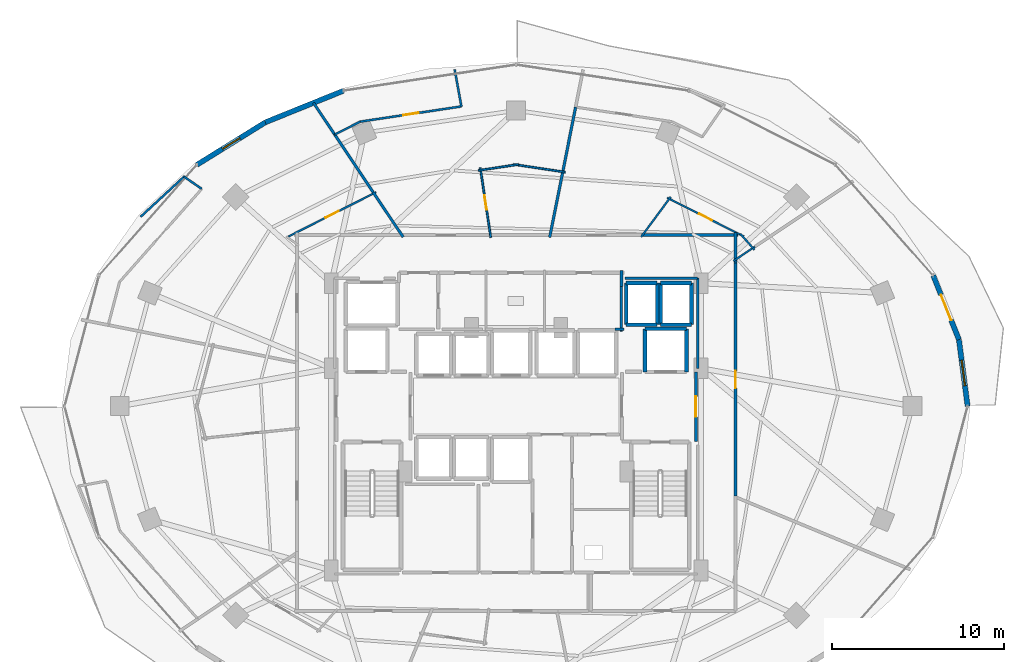
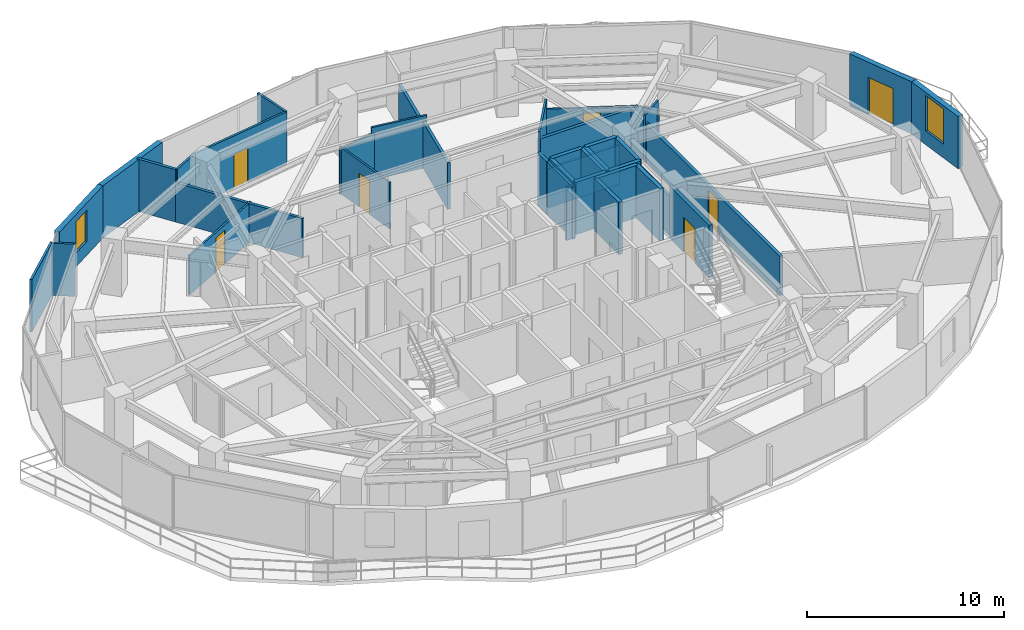
# One storey, part 25 of 29: 42 walls, 7 doors, 2 windows, 9 openings.
"""IFC4 building model written with IfcOpenShell, lengths in metres."""

from ifc_helpers import new_model, si_unit, direction, frame, frame_2d, origin, place, context, subcontext, project, spatial, rectangle, extrude, material, layer, layer_set, type_object, element, fill, save


model = new_model("IFC4")

# Units and contexts
model_context = context("Model", 3, precision=1e-05, world=origin(), true_north=direction((0.0, 1.0)))
body_context = subcontext(model_context, "Body", "Model", "MODEL_VIEW")
ifc_project = project(units=[si_unit("LENGTHUNIT", "METRE"), si_unit("AREAUNIT", "SQUARE_METRE"), si_unit("VOLUMEUNIT", "CUBIC_METRE"), si_unit("PLANEANGLEUNIT", "RADIAN"), si_unit("MASSUNIT", "GRAM", prefix="KILO")], contexts=[model_context])

# Site, building, storey
site_placement = place(None, origin())
site = spatial("IfcSite", under=ifc_project, at=site_placement, CompositionType="ELEMENT")
building_placement = place(site_placement, origin())
building = spatial("IfcBuilding", under=site, at=building_placement, Name="Vorneva Point Tower", CompositionType="ELEMENT")
storey_placement = place(building_placement, frame((0.0, 0.0, 82.300048828125)))
storey = spatial("IfcBuildingStorey", under=building, at=storey_placement, Name="L21", CompositionType="ELEMENT", Elevation=82.300048828125)

# Walls
ifc_material_1 = material(Name="Concrete B60 (C50/60)", Category="concrete")
ifc_layer_1 = layer(ifc_material_1, 0.5)
ifc_layer_set_1 = layer_set([ifc_layer_1], Name="Concrete B60 (C50/60)")
wall_type_1 = type_object("IfcWallType", Name="WL-CORE-500", PredefinedType="SHEAR", material=ifc_layer_set_1)
wall_1_placement = place(storey_placement, frame((47.89990234375, 28.0, 0.0), z_axis=(0.0, 0.0, 1.0), x_axis=(0.0, 1.0, 0.0)))
element("IfcWall", 1, at=wall_1_placement, inside=storey, type_object=wall_type_1, Name="L21 Lift FFL2 Shaft Wall +X", PredefinedType="SHEAR", context=body_context, shape_type="SweptSolid", body=[
    extrude(rectangle(XDim=2.5, YDim=0.219970703125, at=frame_2d((1.25, 0.0))), origin(), (0.0, 0.0, 1.0), 3.239990234375),
])
wall_2_placement = place(storey_placement, frame((47.89990234375, 30.5, 0.0), z_axis=(0.0, 0.0, 1.0), x_axis=(-1.0, 0.0, 0.0)))
element("IfcWall", 2, at=wall_2_placement, inside=storey, type_object=wall_type_1, Name="L21 Lift FFL2 Shaft Wall +Y", PredefinedType="SHEAR", context=body_context, shape_type="SweptSolid", body=[
    extrude(rectangle(XDim=2.39990234375, YDim=0.219970703125, at=frame_2d((1.199951171875, 0.0))), origin(), (0.0, 0.0, 1.0), 3.239990234375),
])
wall_3_placement = place(storey_placement, frame((45.5, 30.5, 0.0), z_axis=(0.0, 0.0, 1.0), x_axis=(0.0, -1.0, 0.0)))
element("IfcWall", 3, at=wall_3_placement, inside=storey, type_object=wall_type_1, Name="L21 Lift FFL2 Shaft Wall -X", PredefinedType="SHEAR", context=body_context, shape_type="SweptSolid", body=[
    extrude(rectangle(XDim=2.5, YDim=0.219970703125, at=frame_2d((1.25, 0.0))), origin(), (0.0, 0.0, 1.0), 3.239990234375),
])

# Wall, opening, window
ifc_material_2 = material(Name="Precast concrete B50 (C40/50)", Category="concrete")
ifc_layer_2 = layer(ifc_material_2, 0.300048828125)
ifc_layer_set_2 = layer_set([ifc_layer_2], Name="Precast concrete B50 (C40/50)")
wall_type_2 = type_object("IfcWallType", Name="WL-EXT-300", PredefinedType="STANDARD", material=ifc_layer_set_2)
wall_4_placement = place(storey_placement, frame((64.25, 26.0, 0.0), z_axis=(0.0, 0.0, 1.0), x_axis=(-0.129157444793, 0.991624099372, 0.0)))
wall_4 = element("IfcWall", 4, at=wall_4_placement, inside=storey, type_object=wall_type_2, Name="L21 Pale-Metal Facade Spandrel Wall 01.1", PredefinedType="STANDARD", context=body_context, shape_type="SweptSolid", body=[
    extrude(rectangle(XDim=3.9052734375, YDim=0.300048828125, at=frame_2d((1.95263671875, 0.0))), origin(), (0.0, 0.0, 1.0), 3.239990234375),
])
opening_1_placement = place(wall_4_placement, frame((1.20263671875, 0.0, 0.85009765625)))
opening_1 = element("IfcOpeningElement", 5, at=opening_1_placement, cuts=wall_4, Name="Opening W-02", PredefinedType="OPENING", context=body_context, shape_type="SweptSolid", body=[
    extrude(rectangle(XDim=1.5, YDim=2.18994140625, at=frame_2d((0.75, 1.094970703125))), frame((0.0, 0.1650390625, 0.0), z_axis=(0.0, -1.0, 0.0), x_axis=(1.0, 0.0, 0.0)), (0.0, 0.0, 1.0), 0.329833984375),
])
ifc_material_3 = material(Name="Double low-e laminated glass IGU", Category="glass")
window_type_1 = type_object("IfcWindowType", Name="WN-HTL-1500", PartitioningType="SINGLE_PANEL", PredefinedType="WINDOW", material=ifc_material_3)
window_1_placement = place(opening_1_placement, origin())
window_1 = element("IfcWindow", 6, at=window_1_placement, inside=storey, type_object=window_type_1, Name="L21 Facade Window 01", OverallHeight=2.18994140625, OverallWidth=1.5, PartitioningType="SINGLE_PANEL", PredefinedType="WINDOW", context=body_context, shape_type="SweptSolid", body=[
    extrude(rectangle(XDim=1.5, YDim=2.18994140625, at=frame_2d((0.75, 1.094970703125))), frame((0.0, 0.030029296875, 0.0), z_axis=(0.0, -1.0, 0.0), x_axis=(1.0, 0.0, 0.0)), (0.0, 0.0, 1.0), 0.06005859375),
])
fill(opening_1, window_1)

# Wall, opening, door
wall_5_placement = place(storey_placement, frame((63.74560546875, 29.87255859375, 0.0), z_axis=(0.0, 0.0, 1.0), x_axis=(-0.372345205928, 0.92809430966, 0.0)))
wall_5 = element("IfcWall", 7, at=wall_5_placement, inside=storey, type_object=wall_type_2, Name="L21 Pale-Metal Facade Spandrel Wall 01.2", PredefinedType="STANDARD", context=body_context, shape_type="SweptSolid", body=[
    extrude(rectangle(XDim=4.01220703125, YDim=0.300048828125, at=frame_2d((2.006103515625, 0.0))), origin(), (0.0, 0.0, 1.0), 3.239990234375),
])
opening_2_placement = place(wall_5_placement, frame((1.2060546875, 0.0, 0.0)))
opening_2 = element("IfcOpeningElement", 8, at=opening_2_placement, cuts=wall_5, Name="Opening BD-01", PredefinedType="OPENING", context=body_context, shape_type="SweptSolid", body=[
    extrude(rectangle(XDim=1.60009765625, YDim=2.300048828125, at=frame_2d((0.800048828125, 1.14990234375))), frame((0.0, 0.1650390625, 0.0), z_axis=(0.0, -1.0, 0.0), x_axis=(1.0, 0.0, 0.0)), (0.0, 0.0, 1.0), 0.329833984375),
])
ifc_material_4 = material(Name="Pale anodised aluminium", Category="aluminium")
door_type_1 = type_object("IfcDoorType", Name="DR-BAL-1600", OperationType="SLIDING_TO_LEFT", PredefinedType="DOOR", material=ifc_material_4)
door_1_placement = place(opening_2_placement, origin())
door_1 = element("IfcDoor", 9, at=door_1_placement, inside=storey, type_object=door_type_1, Name="L21 Balcony Terrace Access Door 01", OperationType="SLIDING_TO_LEFT", OverallHeight=2.300048828125, OverallWidth=1.60009765625, PredefinedType="DOOR", context=body_context, shape_type="SweptSolid", body=[
    extrude(rectangle(XDim=1.60009765625, YDim=2.300048828125, at=frame_2d((0.800048828125, 1.14990234375))), frame((0.0, 0.02490234375, 0.0), z_axis=(0.0, -1.0, 0.0), x_axis=(1.0, 0.0, 0.0)), (0.0, 0.0, 1.0), 0.050048828125),
])
fill(opening_2, door_1)

# Wall
wall_6_placement = place(storey_placement, frame((27.95458984375, 44.339111328125, 0.0), z_axis=(0.0, 0.0, 1.0), x_axis=(-0.927122233109, -0.374759075775, 0.0)))
element("IfcWall", 10, at=wall_6_placement, inside=storey, type_object=wall_type_2, Name="L21 Pale-Metal Facade Spandrel Wall 06.1", PredefinedType="STANDARD", context=body_context, shape_type="SweptSolid", body=[
    extrude(rectangle(XDim=4.89501953125, YDim=0.300048828125, at=frame_2d((2.447509765625, 0.0))), origin(), (0.0, 0.0, 1.0), 3.239990234375),
])

# Wall, opening, window
wall_7_placement = place(storey_placement, frame((23.416259765625, 42.504638671875, 0.0), z_axis=(0.0, 0.0, 1.0), x_axis=(-0.849684479743, -0.527291461038, 0.0)))
wall_7 = element("IfcWall", 11, at=wall_7_placement, inside=storey, type_object=wall_type_2, Name="L21 Pale-Metal Facade Spandrel Wall 06.2", PredefinedType="STANDARD", context=body_context, shape_type="SweptSolid", body=[
    extrude(rectangle(XDim=4.681396484375, YDim=0.300048828125, at=frame_2d((2.3408203125, 0.0))), origin(), (0.0, 0.0, 1.0), 3.239990234375),
])
opening_3_placement = place(wall_7_placement, frame((1.74072265625, 0.0, 0.85009765625)))
opening_3 = element("IfcOpeningElement", 12, at=opening_3_placement, cuts=wall_7, Name="Opening W-04", PredefinedType="OPENING", context=body_context, shape_type="SweptSolid", body=[
    extrude(rectangle(XDim=1.199951171875, YDim=1.949951171875, at=frame_2d((0.60009765625, 0.97509765625))), frame((0.0, 0.1650390625, 0.0), z_axis=(0.0, -1.0, 0.0), x_axis=(1.0, 0.0, 0.0)), (0.0, 0.0, 1.0), 0.329833984375),
])
window_type_2 = type_object("IfcWindowType", Name="WN-RES-1200", PartitioningType="SINGLE_PANEL", PredefinedType="WINDOW", material=ifc_material_3)
window_2_placement = place(opening_3_placement, origin())
window_2 = element("IfcWindow", 13, at=window_2_placement, inside=storey, type_object=window_type_2, Name="L21 Dwelling Vision Window 01", OverallHeight=1.949951171875, OverallWidth=1.199951171875, PartitioningType="SINGLE_PANEL", PredefinedType="WINDOW", context=body_context, shape_type="SweptSolid", body=[
    extrude(rectangle(XDim=1.199951171875, YDim=1.949951171875, at=frame_2d((0.60009765625, 0.97509765625))), frame((0.0, 0.030029296875, 0.0), z_axis=(0.0, -1.0, 0.0), x_axis=(1.0, 0.0, 0.0)), (0.0, 0.0, 1.0), 0.06005859375),
])
fill(opening_3, window_2)

# Wall
ifc_material_5 = material(Name="Fire-rated acoustic gypsum stud partition", Category="gypsum")
ifc_layer_3 = layer(ifc_material_5, 0.110107421875)
ifc_layer_set_3 = layer_set([ifc_layer_3], Name="Fire-rated acoustic gypsum stud partition")
wall_type_3 = type_object("IfcWallType", Name="WL-PART-110", PredefinedType="PARTITIONING", material=ifc_layer_set_3)
wall_8_placement = place(storey_placement, frame((45.265869140625, 35.83740234375, 0.0), z_axis=(0.0, 0.0, 1.0), x_axis=(0.594069015324, 0.804414075605, 0.0)))
element("IfcWall", 14, at=wall_8_placement, inside=storey, type_object=wall_type_3, Name="L21 Interior Partition 047", PredefinedType="PARTITIONING", context=body_context, shape_type="SweptSolid", body=[
    extrude(rectangle(XDim=2.8994140625, YDim=0.110107421875, at=frame_2d((1.44970703125, 0.0))), origin(), (0.0, 0.0, 1.0), 2.921875),
])

# Wall, opening, door
wall_9_placement = place(storey_placement, frame((46.780029296875, 38.1201171875, 0.0), z_axis=(0.0, 0.0, 1.0), x_axis=(0.892517538434, -0.451012686726, 0.0)))
wall_9 = element("IfcWall", 15, at=wall_9_placement, inside=storey, type_object=wall_type_3, Name="L21 Interior Partition 048", PredefinedType="PARTITIONING", context=body_context, shape_type="SweptSolid", body=[
    extrude(rectangle(XDim=5.007080078125, YDim=0.110107421875, at=frame_2d((2.50341796875, 0.0))), origin(), (0.0, 0.0, 1.0), 2.431884765625),
])
opening_4_placement = place(wall_9_placement, frame((2.07861328125, 0.0, 0.0)))
opening_4 = element("IfcOpeningElement", 16, at=opening_4_placement, cuts=wall_9, Name="Opening ID-02", PredefinedType="OPENING", context=body_context, shape_type="SweptSolid", body=[
    extrude(rectangle(XDim=0.85009765625, YDim=2.10009765625, at=frame_2d((0.425048828125, 1.050048828125))), frame((0.0, 0.06982421875, 0.0), z_axis=(0.0, -1.0, 0.0), x_axis=(1.0, 0.0, 0.0)), (0.0, 0.0, 1.0), 0.139892578125),
])
ifc_material_6 = material(Name="Engineered oak fire-rated door leaf", Category="wood")
door_type_2 = type_object("IfcDoorType", Name="DR-BATH-850", OperationType="NOTDEFINED", PredefinedType="DOOR", material=ifc_material_6)
door_2_placement = place(opening_4_placement, origin())
door_2 = element("IfcDoor", 17, at=door_2_placement, inside=storey, type_object=door_type_2, Name="L21 Door Corner Suite L21-01 / En-Suite Bathroom L21-01", OperationType="SINGLE_SWING_LEFT", OverallHeight=2.10009765625, OverallWidth=0.85009765625, PredefinedType="DOOR", context=body_context, shape_type="SweptSolid", body=[
    extrude(rectangle(XDim=0.85009765625, YDim=2.10009765625, at=frame_2d((0.425048828125, 1.050048828125))), frame((0.0, 0.02490234375, 0.0), z_axis=(0.0, -1.0, 0.0), x_axis=(1.0, 0.0, 0.0)), (0.0, 0.0, 1.0), 0.050048828125),
])
fill(opening_4, door_2)

# Walls
wall_10_placement = place(storey_placement, frame((51.03125, 36.02978515625, 0.0), z_axis=(0.0, 0.0, 1.0), x_axis=(0.661996266618, -0.749507133377, 0.0)))
element("IfcWall", 18, at=wall_10_placement, inside=storey, type_object=wall_type_3, Name="L21 Interior Partition 049", PredefinedType="PARTITIONING", context=body_context, shape_type="SweptSolid", body=[
    extrude(rectangle(XDim=1.249755859375, YDim=0.110107421875, at=frame_2d((0.625, 0.0))), origin(), (0.0, 0.0, 1.0), 2.431884765625),
])
wall_11_placement = place(storey_placement, frame((51.88232421875, 35.27587890625, 0.0), z_axis=(0.0, 0.0, 1.0), x_axis=(-0.831374526136, -0.555712513169, 0.0)))
element("IfcWall", 19, at=wall_11_placement, inside=storey, type_object=wall_type_3, Name="L21 Interior Partition 050", PredefinedType="PARTITIONING", context=body_context, shape_type="SweptSolid", body=[
    extrude(rectangle(XDim=1.501953125, YDim=0.110107421875, at=frame_2d((0.7509765625, 0.0))), origin(), (0.0, 0.0, 1.0), 2.921875),
])

# Wall, opening, door
wall_12_placement = place(storey_placement, frame((36.52490234375, 35.8115234375, 0.0), z_axis=(0.0, 0.0, 1.0), x_axis=(-0.148739497936, 0.988876413792, 0.0)))
wall_12 = element("IfcWall", 20, at=wall_12_placement, inside=storey, type_object=wall_type_3, Name="L21 Interior Partition 059", PredefinedType="PARTITIONING", context=body_context, shape_type="SweptSolid", body=[
    extrude(rectangle(XDim=4.0986328125, YDim=0.110107421875, at=frame_2d((2.04931640625, 0.0))), origin(), (0.0, 0.0, 1.0), 2.8740234375),
])
opening_5_placement = place(wall_12_placement, frame((1.624267578125, 0.0, 0.0)))
opening_5 = element("IfcOpeningElement", 21, at=opening_5_placement, cuts=wall_12, Name="Opening ID-02", PredefinedType="OPENING", context=body_context, shape_type="SweptSolid", body=[
    extrude(rectangle(XDim=0.85009765625, YDim=2.10009765625, at=frame_2d((0.425048828125, 1.050048828125))), frame((0.0, 0.06982421875, 0.0), z_axis=(0.0, -1.0, 0.0), x_axis=(1.0, 0.0, 0.0)), (0.0, 0.0, 1.0), 0.139892578125),
])
door_3_placement = place(opening_5_placement, origin())
door_3 = element("IfcDoor", 22, at=door_3_placement, inside=storey, type_object=door_type_2, Name="L21 Door Junior Suite L21-02 / En-Suite Bathroom L21-02", OperationType="SINGLE_SWING_LEFT", OverallHeight=2.10009765625, OverallWidth=0.85009765625, PredefinedType="DOOR", context=body_context, shape_type="SweptSolid", body=[
    extrude(rectangle(XDim=0.85009765625, YDim=2.10009765625, at=frame_2d((0.425048828125, 1.050048828125))), frame((0.0, 0.02490234375, 0.0), z_axis=(0.0, -1.0, 0.0), x_axis=(1.0, 0.0, 0.0)), (0.0, 0.0, 1.0), 0.050048828125),
])
fill(opening_5, door_3)

# Walls
wall_13_placement = place(storey_placement, frame((35.797607421875, 39.705078125, 0.0), z_axis=(0.0, 0.0, 1.0), x_axis=(0.988893947493, 0.148622880511, 0.0)))
element("IfcWall", 23, at=wall_13_placement, inside=storey, type_object=wall_type_3, Name="L21 Interior Partition 060", PredefinedType="PARTITIONING", context=body_context, shape_type="SweptSolid", body=[
    extrude(rectangle(XDim=2.3671875, YDim=0.110107421875, at=frame_2d((1.18359375, 0.0))), origin(), (0.0, 0.0, 1.0), 2.8740234375),
])
wall_14_placement = place(storey_placement, frame((37.861572265625, 40.056884765625, 0.0), z_axis=(0.0, 0.0, 1.0), x_axis=(0.988861549405, -0.148838288446, 0.0)))
element("IfcWall", 24, at=wall_14_placement, inside=storey, type_object=wall_type_3, Name="L21 Interior Partition 061", PredefinedType="PARTITIONING", context=body_context, shape_type="SweptSolid", body=[
    extrude(rectangle(XDim=3.021484375, YDim=0.110107421875, at=frame_2d((1.5107421875, 0.0))), origin(), (0.0, 0.0, 1.0), 3.239990234375),
])

# Wall, opening, door
wall_15_placement = place(storey_placement, frame((24.7509765625, 35.86181640625, 0.0), z_axis=(0.0, 0.0, 1.0), x_axis=(0.892506436774, 0.451034655339, 0.0)))
wall_15 = element("IfcWall", 25, at=wall_15_placement, inside=storey, type_object=wall_type_3, Name="L21 Interior Partition 069", PredefinedType="PARTITIONING", context=body_context, shape_type="SweptSolid", body=[
    extrude(rectangle(XDim=5.71875, YDim=0.110107421875, at=frame_2d((2.859375, 0.0))), origin(), (0.0, 0.0, 1.0), 2.431884765625),
])
opening_6_placement = place(wall_15_placement, frame((2.434326171875, 0.0, 0.0)))
opening_6 = element("IfcOpeningElement", 26, at=opening_6_placement, cuts=wall_15, Name="Opening ID-02", PredefinedType="OPENING", context=body_context, shape_type="SweptSolid", body=[
    extrude(rectangle(XDim=0.85009765625, YDim=2.10009765625, at=frame_2d((0.425048828125, 1.050048828125))), frame((0.0, 0.06982421875, 0.0), z_axis=(0.0, -1.0, 0.0), x_axis=(1.0, 0.0, 0.0)), (0.0, 0.0, 1.0), 0.139892578125),
])
door_4_placement = place(opening_6_placement, origin())
door_4 = element("IfcDoor", 27, at=door_4_placement, inside=storey, type_object=door_type_2, Name="L21 Door Executive Suite L21-03 / En-Suite Bathroom L21-03", OperationType="SINGLE_SWING_LEFT", OverallHeight=2.10009765625, OverallWidth=0.85009765625, PredefinedType="DOOR", context=body_context, shape_type="SweptSolid", body=[
    extrude(rectangle(XDim=0.85009765625, YDim=2.10009765625, at=frame_2d((0.425048828125, 1.050048828125))), frame((0.0, 0.02490234375, 0.0), z_axis=(0.0, -1.0, 0.0), x_axis=(1.0, 0.0, 0.0)), (0.0, 0.0, 1.0), 0.050048828125),
])
fill(opening_6, door_4)

# Wall
ifc_layer_4 = layer(ifc_material_5, 0.125)
ifc_layer_set_4 = layer_set([ifc_layer_4], Name="Fire-rated acoustic gypsum stud partition")
wall_type_4 = type_object("IfcWallType", Name="WL-PART-125", PredefinedType="PARTITIONING", material=ifc_layer_set_4)
wall_16_placement = place(storey_placement, frame((34.424072265625, 45.5830078125, 0.0), z_axis=(0.0, 0.0, 1.0), x_axis=(0.179405454878, -0.983775219631, 0.0)))
element("IfcWall", 28, at=wall_16_placement, inside=storey, type_object=wall_type_4, Name="L21 Interior Partition 062", PredefinedType="PARTITIONING", context=body_context, shape_type="SweptSolid", body=[
    extrude(rectangle(XDim=2.189697265625, YDim=0.125, at=frame_2d((1.0947265625, 0.0))), origin(), (0.0, 0.0, 1.0), 3.239990234375),
])

# Wall, opening, door
wall_17_placement = place(storey_placement, frame((34.81689453125, 43.428955078125, 0.0), z_axis=(0.0, 0.0, 1.0), x_axis=(-0.988882066939, -0.14870190882, 0.0)))
wall_17 = element("IfcWall", 29, at=wall_17_placement, inside=storey, type_object=wall_type_4, Name="L21 Interior Partition 063", PredefinedType="PARTITIONING", context=body_context, shape_type="SweptSolid", body=[
    extrude(rectangle(XDim=5.945068359375, YDim=0.125, at=frame_2d((2.97265625, 0.0))), origin(), (0.0, 0.0, 1.0), 3.239990234375),
])
opening_7_placement = place(wall_17_placement, frame((2.5224609375, 0.0, 0.0)))
opening_7 = element("IfcOpeningElement", 30, at=opening_7_placement, cuts=wall_17, Name="Opening ID-01", PredefinedType="OPENING", context=body_context, shape_type="SweptSolid", body=[
    extrude(rectangle(XDim=0.89990234375, YDim=2.10009765625, at=frame_2d((0.449951171875, 1.050048828125))), frame((0.0, 0.077392578125, 0.0), z_axis=(0.0, -1.0, 0.0), x_axis=(1.0, 0.0, 0.0)), (0.0, 0.0, 1.0), 0.15478515625),
])
door_type_3 = type_object("IfcDoorType", Name="DR-ROOM-900", OperationType="NOTDEFINED", PredefinedType="DOOR", material=ifc_material_6)
door_5_placement = place(opening_7_placement, origin())
door_5 = element("IfcDoor", 31, at=door_5_placement, inside=storey, type_object=door_type_3, Name="L21 Door Junior Suite L21-02 / Suite Sitting Study L21-02", OperationType="SINGLE_SWING_RIGHT", OverallHeight=2.10009765625, OverallWidth=0.89990234375, PredefinedType="DOOR", context=body_context, shape_type="SweptSolid", body=[
    extrude(rectangle(XDim=0.89990234375, YDim=2.10009765625, at=frame_2d((0.449951171875, 1.050048828125))), frame((0.0, 0.02490234375, 0.0), z_axis=(0.0, -1.0, 0.0), x_axis=(1.0, 0.0, 0.0)), (0.0, 0.0, 1.0), 0.050048828125),
])
fill(opening_7, door_5)

# Walls
wall_18_placement = place(storey_placement, frame((28.93798828125, 42.544921875, 0.0), z_axis=(0.0, 0.0, 1.0), x_axis=(-0.892517956507, -0.451011859392, 0.0)))
element("IfcWall", 32, at=wall_18_placement, inside=storey, type_object=wall_type_4, Name="L21 Interior Partition 064", PredefinedType="PARTITIONING", context=body_context, shape_type="SweptSolid", body=[
    extrude(rectangle(XDim=1.66943359375, YDim=0.125, at=frame_2d((0.834716796875, 0.0))), origin(), (0.0, 0.0, 1.0), 3.239990234375),
])
wall_19_placement = place(storey_placement, frame((18.736083984375, 39.386962890625, 0.0), z_axis=(0.0, 0.0, 1.0), x_axis=(-0.734814136931, -0.678268519221, 0.0)))
element("IfcWall", 33, at=wall_19_placement, inside=storey, type_object=wall_type_4, Name="L21 Interior Partition 070", PredefinedType="PARTITIONING", context=body_context, shape_type="SweptSolid", body=[
    extrude(rectangle(XDim=3.50146484375, YDim=0.125, at=frame_2d((1.750732421875, 0.0))), origin(), (0.0, 0.0, 1.0), 3.239990234375),
])
wall_20_placement = place(storey_placement, frame((18.69091796875, 39.344970703125, 0.0), z_axis=(0.0, 0.0, 1.0), x_axis=(0.822746935214, -0.568407847057, 0.0)))
element("IfcWall", 34, at=wall_20_placement, inside=storey, type_object=wall_type_4, Name="L21 Interior Partition 071", PredefinedType="PARTITIONING", context=body_context, shape_type="SweptSolid", body=[
    extrude(rectangle(XDim=1.250732421875, YDim=0.125, at=frame_2d((0.62548828125, 0.0))), origin(), (0.0, 0.0, 1.0), 3.239990234375),
])
ifc_layer_5 = layer(ifc_material_5, 0.139892578125)
ifc_layer_set_5 = layer_set([ifc_layer_5], Name="Fire-rated acoustic gypsum stud partition")
wall_type_5 = type_object("IfcWallType", Name="WL-PART-140", PredefinedType="PARTITIONING", material=ifc_layer_set_5)
wall_21_placement = place(storey_placement, frame((43.735107421875, 30.47998046875, 0.0), z_axis=(0.0, 0.0, 1.0), x_axis=(1.0, 0.0, 0.0)))
element("IfcWall", 35, at=wall_21_placement, inside=storey, type_object=wall_type_5, Name="L21 Interior Closure Partition 100", PredefinedType="PARTITIONING", context=body_context, shape_type="SweptSolid", body=[
    extrude(rectangle(XDim=0.52490234375, YDim=0.139892578125, at=frame_2d((0.262451171875, 0.0))), origin(), (0.0, 0.0, 1.0), 3.239990234375),
])
wall_22_placement = place(storey_placement, frame((44.1201171875, 30.340087890625, 0.0), z_axis=(0.0, 0.0, 1.0), x_axis=(0.0, 1.0, 0.0)))
element("IfcWall", 36, at=wall_22_placement, inside=storey, type_object=wall_type_5, Name="L21 Interior Closure Partition 101", PredefinedType="PARTITIONING", context=body_context, shape_type="SweptSolid", body=[
    extrude(rectangle(XDim=2.659912109375, YDim=0.139892578125, at=frame_2d((1.330078125, 0.0))), origin(), (0.0, 0.0, 1.0), 3.239990234375),
])
wall_23_placement = place(storey_placement, frame((44.340087890625, 33.449951171875, 0.0), z_axis=(0.0, 0.0, 1.0), x_axis=(1.0, 0.0, 0.0)))
element("IfcWall", 37, at=wall_23_placement, inside=storey, type_object=wall_type_5, Name="L21 Interior Closure Partition 104", PredefinedType="PARTITIONING", context=body_context, shape_type="SweptSolid", body=[
    extrude(rectangle(XDim=4.2099609375, YDim=0.139892578125, at=frame_2d((2.10498046875, 0.0))), origin(), (0.0, 0.0, 1.0), 2.431884765625),
])
wall_24_placement = place(storey_placement, frame((48.550048828125, 33.449951171875, 0.0), z_axis=(0.0, 0.0, 1.0), x_axis=(0.0, -1.0, 0.0)))
element("IfcWall", 38, at=wall_24_placement, inside=storey, type_object=wall_type_5, Name="L21 Interior Closure Partition 105", PredefinedType="PARTITIONING", context=body_context, shape_type="SweptSolid", body=[
    extrude(rectangle(XDim=5.25390625, YDim=0.139892578125, at=frame_2d((2.626953125, 0.0))), origin(), (0.0, 0.0, 1.0), 2.431884765625),
])
ifc_layer_6 = layer(ifc_material_5, 0.159912109375)
ifc_layer_set_6 = layer_set([ifc_layer_6], Name="Fire-rated acoustic gypsum stud partition")
wall_type_6 = type_object("IfcWallType", Name="WL-PART-160", PredefinedType="PARTITIONING", material=ifc_layer_set_6)
wall_25_placement = place(storey_placement, frame((41.458984375, 43.387939453125, 0.0), z_axis=(0.0, 0.0, 1.0), x_axis=(-0.195187593062, -0.980765926975, 0.0)))
element("IfcWall", 39, at=wall_25_placement, inside=storey, type_object=wall_type_6, Name="L21 Interior Partition 055", PredefinedType="PARTITIONING", context=body_context, shape_type="SweptSolid", body=[
    extrude(rectangle(XDim=3.893798828125, YDim=0.159912109375, at=frame_2d((1.94677734375, 0.0))), origin(), (0.0, 0.0, 1.0), 2.677001953125),
])
wall_26_placement = place(storey_placement, frame((40.726806640625, 39.706298828125, 0.0), z_axis=(0.0, 0.0, 1.0), x_axis=(-0.195252736913, -0.980752960091, 0.0)))
element("IfcWall", 40, at=wall_26_placement, inside=storey, type_object=wall_type_6, Name="L21 Interior Partition 056", PredefinedType="PARTITIONING", context=body_context, shape_type="SweptSolid", body=[
    extrude(rectangle(XDim=3.969970703125, YDim=0.159912109375, at=frame_2d((1.98486328125, 0.0))), origin(), (0.0, 0.0, 1.0), 2.8740234375),
])
wall_27_placement = place(storey_placement, frame((27.447998046875, 41.7919921875, 0.0), z_axis=(0.0, 0.0, 1.0), x_axis=(0.555619383998, -0.831436768567, 0.0)))
element("IfcWall", 41, at=wall_27_placement, inside=storey, type_object=wall_type_6, Name="L21 Interior Partition 065", PredefinedType="PARTITIONING", context=body_context, shape_type="SweptSolid", body=[
    extrude(rectangle(XDim=4.16650390625, YDim=0.159912109375, at=frame_2d((2.083251953125, 0.0))), origin(), (0.0, 0.0, 1.0), 2.431884765625),
])
wall_28_placement = place(storey_placement, frame((29.68505859375, 38.4443359375, 0.0), z_axis=(0.0, 0.0, 1.0), x_axis=(0.555596981897, -0.831451738652, 0.0)))
element("IfcWall", 42, at=wall_28_placement, inside=storey, type_object=wall_type_6, Name="L21 Interior Partition 066", PredefinedType="PARTITIONING", context=body_context, shape_type="SweptSolid", body=[
    extrude(rectangle(XDim=3.14013671875, YDim=0.159912109375, at=frame_2d((1.570068359375, 0.0))), origin(), (0.0, 0.0, 1.0), 2.431884765625),
])
wall_29_placement = place(storey_placement, frame((26.217041015625, 43.635009765625, 0.0), z_axis=(0.0, 0.0, 1.0), x_axis=(0.555411777185, -0.831575467269, 0.0)))
element("IfcWall", 43, at=wall_29_placement, inside=storey, type_object=wall_type_6, Name="L21 Interior Partition 067", PredefinedType="PARTITIONING", context=body_context, shape_type="SweptSolid", body=[
    extrude(rectangle(XDim=2.21630859375, YDim=0.159912109375, at=frame_2d((1.108154296875, 0.0))), origin(), (0.0, 0.0, 1.0), 3.239990234375),
])

# Wall, opening, door
ifc_material_7 = material(Name="Autoclaved aerated concrete blockwork", Category="masonry")
ifc_layer_7 = layer(ifc_material_7, 0.179931640625)
ifc_layer_set_7 = layer_set([ifc_layer_7], Name="Autoclaved aerated concrete blockwork")
wall_type_7 = type_object("IfcWallType", Name="WL-PART-180", PredefinedType="PARTITIONING", material=ifc_layer_set_7)
wall_30_placement = place(storey_placement, frame((48.449951171875, 23.949951171875, 0.0), z_axis=(0.0, 0.0, 1.0), x_axis=(0.0, 1.0, 0.0)))
wall_30 = element("IfcWall", 44, at=wall_30_placement, inside=storey, type_object=wall_type_7, Name="L21 Interior Partition 005", PredefinedType="PARTITIONING", context=body_context, shape_type="SweptSolid", body=[
    extrude(rectangle(XDim=4.050048828125, YDim=0.179931640625, at=frame_2d((2.02490234375, 0.0))), origin(), (0.0, 0.0, 1.0), 3.239990234375),
])
opening_8_placement = place(wall_30_placement, frame((1.425048828125, 0.0, 0.0)))
opening_8 = element("IfcOpeningElement", 45, at=opening_8_placement, cuts=wall_30, Name="Opening FD-02", PredefinedType="OPENING", context=body_context, shape_type="SweptSolid", body=[
    extrude(rectangle(XDim=1.199951171875, YDim=2.14990234375, at=frame_2d((0.60009765625, 1.074951171875))), frame((0.0, 0.10498046875, 0.0), z_axis=(0.0, -1.0, 0.0), x_axis=(1.0, 0.0, 0.0)), (0.0, 0.0, 1.0), 0.209716796875),
])
ifc_material_8 = material(Name="Fire-rated powder-coated steel", Category="steel")
door_type_4 = type_object("IfcDoorType", Name="DR-FFL-1200", OperationType="NOTDEFINED", PredefinedType="DOOR", material=ifc_material_8)
door_6_placement = place(opening_8_placement, origin())
door_6 = element("IfcDoor", 46, at=door_6_placement, inside=storey, type_object=door_type_4, Name="L21 Door East Firefighting Lobby / L21 Circulation Corridor", OperationType="SINGLE_SWING_LEFT", OverallHeight=2.14990234375, OverallWidth=1.199951171875, PredefinedType="DOOR", context=body_context, shape_type="SweptSolid", body=[
    extrude(rectangle(XDim=1.199951171875, YDim=2.14990234375, at=frame_2d((0.60009765625, 1.074951171875))), frame((0.0, 0.02490234375, 0.0), z_axis=(0.0, -1.0, 0.0), x_axis=(1.0, 0.0, 0.0)), (0.0, 0.0, 1.0), 0.050048828125),
])
fill(opening_8, door_6)

# Walls
wall_31_placement = place(storey_placement, frame((44.1201171875, 32.969970703125, 0.0), z_axis=(0.0, 0.0, 1.0), x_axis=(0.0, 1.0, 0.0)))
element("IfcWall", 47, at=wall_31_placement, inside=storey, type_object=wall_type_7, Name="L21 Interior Partition 022", PredefinedType="PARTITIONING", context=body_context, shape_type="SweptSolid", body=[
    extrude(rectangle(XDim=0.929931640625, YDim=0.179931640625, at=frame_2d((0.46484375, 0.0))), origin(), (0.0, 0.0, 1.0), 3.239990234375),
])
wall_32_placement = place(storey_placement, frame((50.75, 34.319091796875, 0.0), z_axis=(0.0, 0.0, 1.0), x_axis=(0.0, 1.0, 0.0)))
element("IfcWall", 48, at=wall_32_placement, inside=storey, type_object=wall_type_7, Name="L21 Interior Partition 027", PredefinedType="PARTITIONING", context=body_context, shape_type="SweptSolid", body=[
    extrude(rectangle(XDim=1.77099609375, YDim=0.179931640625, at=frame_2d((0.885498046875, 0.0))), origin(), (0.0, 0.0, 1.0), 2.431884765625),
])
wall_33_placement = place(storey_placement, frame((50.889892578125, 35.949951171875, 0.0), z_axis=(0.0, 0.0, 1.0), x_axis=(-1.0, 0.0, 0.0)))
element("IfcWall", 49, at=wall_33_placement, inside=storey, type_object=wall_type_7, Name="L21 Interior Partition 028", PredefinedType="PARTITIONING", context=body_context, shape_type="SweptSolid", body=[
    extrude(rectangle(XDim=5.60595703125, YDim=0.179931640625, at=frame_2d((2.802978515625, 0.0))), origin(), (0.0, 0.0, 1.0), 2.431884765625),
])

# Wall, opening, door
wall_34_placement = place(storey_placement, frame((50.75, 20.779052734375, 0.0), z_axis=(0.0, 0.0, 1.0), x_axis=(0.0, 1.0, 0.0)))
wall_34 = element("IfcWall", 50, at=wall_34_placement, inside=storey, type_object=wall_type_7, Name="L21 Interior Partition 046", PredefinedType="PARTITIONING", context=body_context, shape_type="SweptSolid", body=[
    extrude(rectangle(XDim=13.5400390625, YDim=0.179931640625, at=frame_2d((6.77001953125, 0.0))), origin(), (0.0, 0.0, 1.0), 2.431884765625),
])
opening_9_placement = place(wall_34_placement, frame((6.27001953125, 0.0, 0.0)))
opening_9 = element("IfcOpeningElement", 51, at=opening_9_placement, cuts=wall_34, Name="Opening UD-01", PredefinedType="OPENING", context=body_context, shape_type="SweptSolid", body=[
    extrude(rectangle(XDim=1.0, YDim=2.14990234375, at=frame_2d((0.5, 1.074951171875))), frame((0.0, 0.10498046875, 0.0), z_axis=(0.0, -1.0, 0.0), x_axis=(1.0, 0.0, 0.0)), (0.0, 0.0, 1.0), 0.209716796875),
])
door_type_5 = type_object("IfcDoorType", Name="DR-UNIT-1000", OperationType="NOTDEFINED", PredefinedType="DOOR", material=ifc_material_6)
door_7_placement = place(opening_9_placement, origin())
door_7 = element("IfcDoor", 52, at=door_7_placement, inside=storey, type_object=door_type_5, Name="L21 Door L21 Circulation Corridor / Hotel Club Lounge L21-08", OperationType="SINGLE_SWING_RIGHT", OverallHeight=2.14990234375, OverallWidth=1.0, PredefinedType="DOOR", context=body_context, shape_type="SweptSolid", body=[
    extrude(rectangle(XDim=1.0, YDim=2.14990234375, at=frame_2d((0.5, 1.074951171875))), frame((0.0, 0.02490234375, 0.0), z_axis=(0.0, -1.0, 0.0), x_axis=(1.0, 0.0, 0.0)), (0.0, 0.0, 1.0), 0.050048828125),
])
fill(opening_9, door_7)

# Walls
ifc_material_9 = material(Name="Concrete B50 (C40/50)", Category="concrete")
ifc_layer_8 = layer(ifc_material_9, 0.219970703125)
ifc_layer_set_8 = layer_set([ifc_layer_8], Name="Concrete B50 (C40/50)")
wall_type_8 = type_object("IfcWallType", Name="WL-SHFT-220", PredefinedType="SOLIDWALL", material=ifc_layer_set_8)
wall_35_placement = place(storey_placement, frame((44.39990234375, 30.739990234375, 0.0), z_axis=(0.0, 0.0, 1.0), x_axis=(1.0, 0.0, 0.0)))
element("IfcWall", 53, at=wall_35_placement, inside=storey, type_object=wall_type_8, Name="L21 Lift EX1 Shaft Wall -Y", PredefinedType="SOLIDWALL", context=body_context, shape_type="SweptSolid", body=[
    extrude(rectangle(XDim=1.800048828125, YDim=0.219970703125, at=frame_2d((0.89990234375, 0.0))), origin(), (0.0, 0.0, 1.0), 3.239990234375),
])
wall_36_placement = place(storey_placement, frame((46.199951171875, 30.739990234375, 0.0), z_axis=(0.0, 0.0, 1.0), x_axis=(0.0, 1.0, 0.0)))
element("IfcWall", 54, at=wall_36_placement, inside=storey, type_object=wall_type_8, Name="L21 Lift EX1 Shaft Wall +X", PredefinedType="SOLIDWALL", context=body_context, shape_type="SweptSolid", body=[
    extrude(rectangle(XDim=2.419921875, YDim=0.219970703125, at=frame_2d((1.2099609375, 0.0))), origin(), (0.0, 0.0, 1.0), 3.239990234375),
])
wall_37_placement = place(storey_placement, frame((46.199951171875, 33.159912109375, 0.0), z_axis=(0.0, 0.0, 1.0), x_axis=(-1.0, 0.0, 0.0)))
element("IfcWall", 55, at=wall_37_placement, inside=storey, type_object=wall_type_8, Name="L21 Lift EX1 Shaft Wall +Y", PredefinedType="SOLIDWALL", context=body_context, shape_type="SweptSolid", body=[
    extrude(rectangle(XDim=1.800048828125, YDim=0.219970703125, at=frame_2d((0.89990234375, 0.0))), origin(), (0.0, 0.0, 1.0), 3.239990234375),
])
wall_38_placement = place(storey_placement, frame((44.39990234375, 33.159912109375, 0.0), z_axis=(0.0, 0.0, 1.0), x_axis=(0.0, -1.0, 0.0)))
element("IfcWall", 56, at=wall_38_placement, inside=storey, type_object=wall_type_8, Name="L21 Lift EX1 Shaft Wall -X", PredefinedType="SOLIDWALL", context=body_context, shape_type="SweptSolid", body=[
    extrude(rectangle(XDim=2.419921875, YDim=0.219970703125, at=frame_2d((1.2099609375, 0.0))), origin(), (0.0, 0.0, 1.0), 3.239990234375),
])
wall_39_placement = place(storey_placement, frame((46.39990234375, 30.739990234375, 0.0), z_axis=(0.0, 0.0, 1.0), x_axis=(1.0, 0.0, 0.0)))
element("IfcWall", 57, at=wall_39_placement, inside=storey, type_object=wall_type_8, Name="L21 Lift EX2 Shaft Wall -Y", PredefinedType="SOLIDWALL", context=body_context, shape_type="SweptSolid", body=[
    extrude(rectangle(XDim=1.800048828125, YDim=0.219970703125, at=frame_2d((0.89990234375, 0.0))), origin(), (0.0, 0.0, 1.0), 3.239990234375),
])
wall_40_placement = place(storey_placement, frame((48.199951171875, 30.739990234375, 0.0), z_axis=(0.0, 0.0, 1.0), x_axis=(0.0, 1.0, 0.0)))
element("IfcWall", 58, at=wall_40_placement, inside=storey, type_object=wall_type_8, Name="L21 Lift EX2 Shaft Wall +X", PredefinedType="SOLIDWALL", context=body_context, shape_type="SweptSolid", body=[
    extrude(rectangle(XDim=2.419921875, YDim=0.219970703125, at=frame_2d((1.2099609375, 0.0))), origin(), (0.0, 0.0, 1.0), 3.239990234375),
])
wall_41_placement = place(storey_placement, frame((48.199951171875, 33.159912109375, 0.0), z_axis=(0.0, 0.0, 1.0), x_axis=(-1.0, 0.0, 0.0)))
element("IfcWall", 59, at=wall_41_placement, inside=storey, type_object=wall_type_8, Name="L21 Lift EX2 Shaft Wall +Y", PredefinedType="SOLIDWALL", context=body_context, shape_type="SweptSolid", body=[
    extrude(rectangle(XDim=1.800048828125, YDim=0.219970703125, at=frame_2d((0.89990234375, 0.0))), origin(), (0.0, 0.0, 1.0), 3.239990234375),
])
wall_42_placement = place(storey_placement, frame((46.39990234375, 33.159912109375, 0.0), z_axis=(0.0, 0.0, 1.0), x_axis=(0.0, -1.0, 0.0)))
element("IfcWall", 60, at=wall_42_placement, inside=storey, type_object=wall_type_8, Name="L21 Lift EX2 Shaft Wall -X", PredefinedType="SOLIDWALL", context=body_context, shape_type="SweptSolid", body=[
    extrude(rectangle(XDim=2.419921875, YDim=0.219970703125, at=frame_2d((1.2099609375, 0.0))), origin(), (0.0, 0.0, 1.0), 3.239990234375),
])

save(model, "model.ifc")
